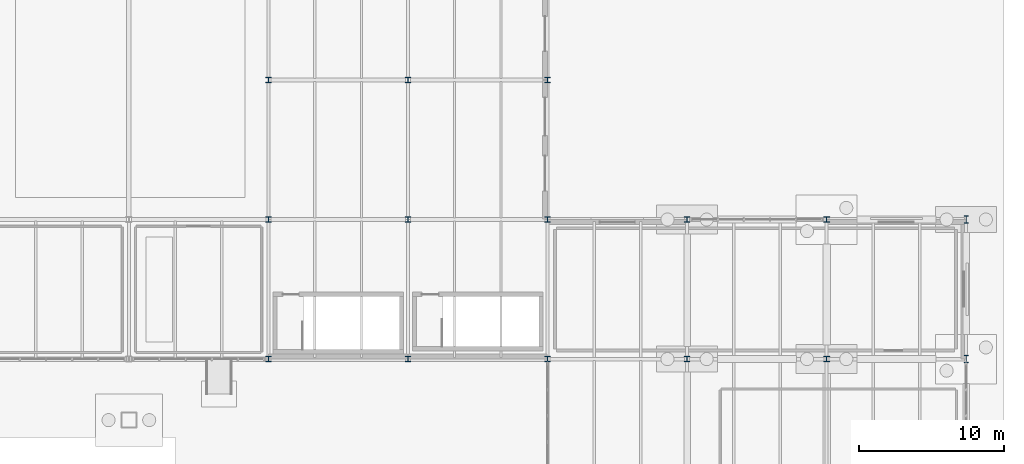
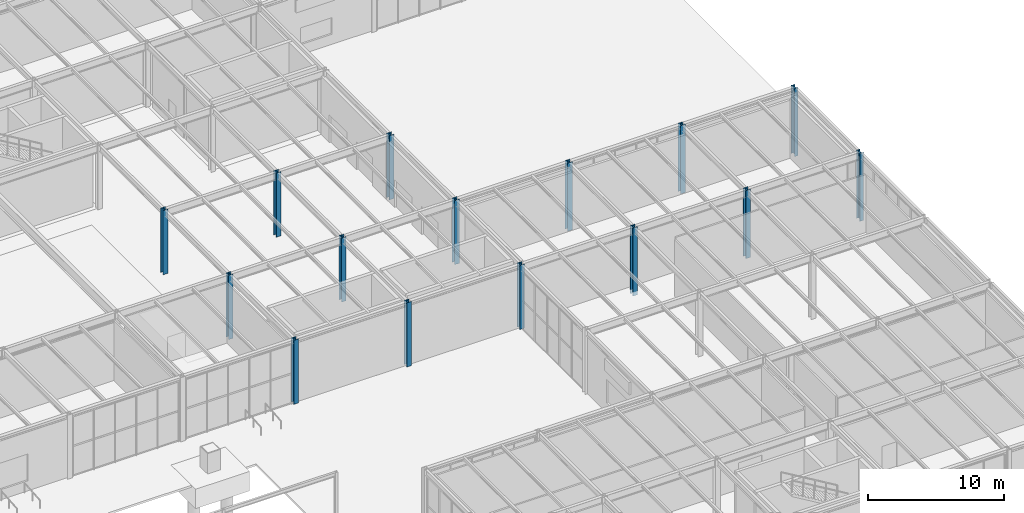
# One storey, part 24 of 142: 15 columns.
"""IFC4 building model written with IfcOpenShell, lengths in metres."""

from ifc_helpers import new_model, si_unit, direction, frame, origin, origin_2d, place, context, subcontext, project, spatial, i_section, extrude, material, material_profile, profile_set, type_object, element, save


model = new_model("IFC4")

# Units and contexts
model_context = context("Model", 3, precision=1e-05, world=origin(), true_north=direction((0.0, 1.0)))
body_context = subcontext(model_context, "Body", "Model", "MODEL_VIEW")
ifc_project = project(units=[si_unit("LENGTHUNIT", "METRE"), si_unit("AREAUNIT", "SQUARE_METRE"), si_unit("VOLUMEUNIT", "CUBIC_METRE"), si_unit("PLANEANGLEUNIT", "RADIAN"), si_unit("MASSUNIT", "GRAM", prefix="KILO")], contexts=[model_context])

# Site, building, storey
site_placement = place(None, origin())
site = spatial("IfcSite", under=ifc_project, at=site_placement, CompositionType="ELEMENT")
building_placement = place(site_placement, origin())
building = spatial("IfcBuilding", under=site, at=building_placement, Name="Coralgate Yard Interchange", CompositionType="ELEMENT")
storey_placement = place(building_placement, origin())
storey = spatial("IfcBuildingStorey", under=building, at=storey_placement, Name="L00", CompositionType="ELEMENT", Elevation=0.0)

# Columns
ifc_material = material(Name="Structural steel S355J2", Category="steel")
ifc_material_profile_1 = material_profile(ifc_material, i_section(OverallWidth=0.39892578125, OverallDepth=0.3935546875, WebThickness=0.022705078125, FlangeThickness=0.03662109375, FilletRadius=0.01513671875, at=origin_2d()), Name="UC 356x406x287")
ifc_profile_set_1 = profile_set([ifc_material_profile_1], Name="Structural steel S355J2")
column_type_1 = type_object("IfcColumnType", Name="COL-SC-1", PredefinedType="COLUMN", material=ifc_profile_set_1)
for number, where, z_axis, x_axis, name in (
    (1, (134.39990234375, 38.39990234375, 0.0), (0.0, 0.0, 1.0), (1.0, 0.0, 0.0), "L00 structural column 14-4"),
    (2, (134.39990234375, 48.0, 0.0), (0.0, 0.0, 1.0), (1.0, 0.0, 0.0), "L00 structural column 14-5"),
    (3, (134.39990234375, 57.60009765625, 0.0), (0.0, 0.0, 1.0), (1.0, 0.0, 0.0), "L00 structural column 14-6"),
    (4, (144.0, 38.39990234375, 0.0), (0.0, 0.0, 1.0), (1.0, 0.0, 0.0), "L00 structural column 15-4"),
    (5, (144.0, 48.0, 0.0), (0.0, 0.0, 1.0), (1.0, 0.0, 0.0), "L00 structural column 15-5"),
    (6, (144.0, 57.60009765625, 0.0), (0.0, 0.0, 1.0), (1.0, 0.0, 0.0), "L00 structural column 15-6"),
    (7, (153.60009765625, 38.39990234375, 0.0), (0.0, 0.0, 1.0), (1.0, 0.0, 0.0), "L00 structural column 16-4"),
    (8, (153.60009765625, 48.0, 0.0), (0.0, 0.0, 1.0), (1.0, 0.0, 0.0), "L00 structural column 16-5"),
    (9, (153.60009765625, 57.60009765625, 0.0), (0.0, 0.0, 1.0), (1.0, 0.0, 0.0), "L00 structural column 16-6"),
):
    element("IfcColumn", number, at=place(storey_placement, frame(where, z_axis=z_axis, x_axis=x_axis)), inside=storey, type_object=column_type_1, Name=name, PredefinedType="COLUMN", context=body_context, shape_type="SweptSolid", body=[
        extrude(i_section(OverallWidth=0.39892578125, OverallDepth=0.3935546875, WebThickness=0.022705078125, FlangeThickness=0.03662109375, FilletRadius=0.01513671875, at=origin_2d()), origin(), (0.0, 0.0, 1.0), 5.75),
    ])
for number, where, z_axis, x_axis, name in (
    (10, (163.199951171875, 38.39990234375, -0.360107421875), (0.0, 0.0, 1.0), (1.0, 0.0, 0.0), "L00 structural column 17-4"),
    (11, (163.199951171875, 48.0, -0.360107421875), (0.0, 0.0, 1.0), (1.0, 0.0, 0.0), "L00 structural column 17-5"),
    (12, (172.800048828125, 38.39990234375, -0.360107421875), (0.0, 0.0, 1.0), (1.0, 0.0, 0.0), "L00 structural column 18-4"),
    (13, (172.800048828125, 48.0, -0.360107421875), (0.0, 0.0, 1.0), (1.0, 0.0, 0.0), "L00 structural column 18-5"),
):
    element("IfcColumn", number, at=place(storey_placement, frame(where, z_axis=z_axis, x_axis=x_axis)), inside=storey, type_object=column_type_1, Name=name, PredefinedType="COLUMN", context=body_context, shape_type="SweptSolid", body=[
        extrude(i_section(OverallWidth=0.39892578125, OverallDepth=0.3935546875, WebThickness=0.022705078125, FlangeThickness=0.03662109375, FilletRadius=0.01513671875, at=origin_2d()), origin(), (0.0, 0.0, 1.0), 6.110107421875),
    ])
ifc_material_profile_2 = material_profile(ifc_material, i_section(OverallWidth=0.300048828125, OverallDepth=0.5, WebThickness=0.014404296875, FlangeThickness=0.028076171875, FilletRadius=0.027099609375, at=origin_2d()), Name="HEB 500")
ifc_profile_set_2 = profile_set([ifc_material_profile_2], Name="Structural steel S355J2")
column_type_2 = type_object("IfcColumnType", Name="COL-SC-10", PredefinedType="COLUMN", material=ifc_profile_set_2)
for number, where, z_axis, x_axis, name in (
    (14, (182.39990234375, 38.39990234375, -0.360107421875), (0.0, 0.0, 1.0), (1.0, 0.0, 0.0), "L00 structural column 19-4"),
    (15, (182.39990234375, 48.0, -0.360107421875), (0.0, 0.0, 1.0), (1.0, 0.0, 0.0), "L00 structural column 19-5"),
):
    element("IfcColumn", number, at=place(storey_placement, frame(where, z_axis=z_axis, x_axis=x_axis)), inside=storey, type_object=column_type_2, Name=name, PredefinedType="COLUMN", context=body_context, shape_type="SweptSolid", body=[
        extrude(i_section(OverallWidth=0.300048828125, OverallDepth=0.5, WebThickness=0.014404296875, FlangeThickness=0.028076171875, FilletRadius=0.027099609375, at=origin_2d()), origin(), (0.0, 0.0, 1.0), 6.110107421875),
    ])

save(model, "model.ifc")
